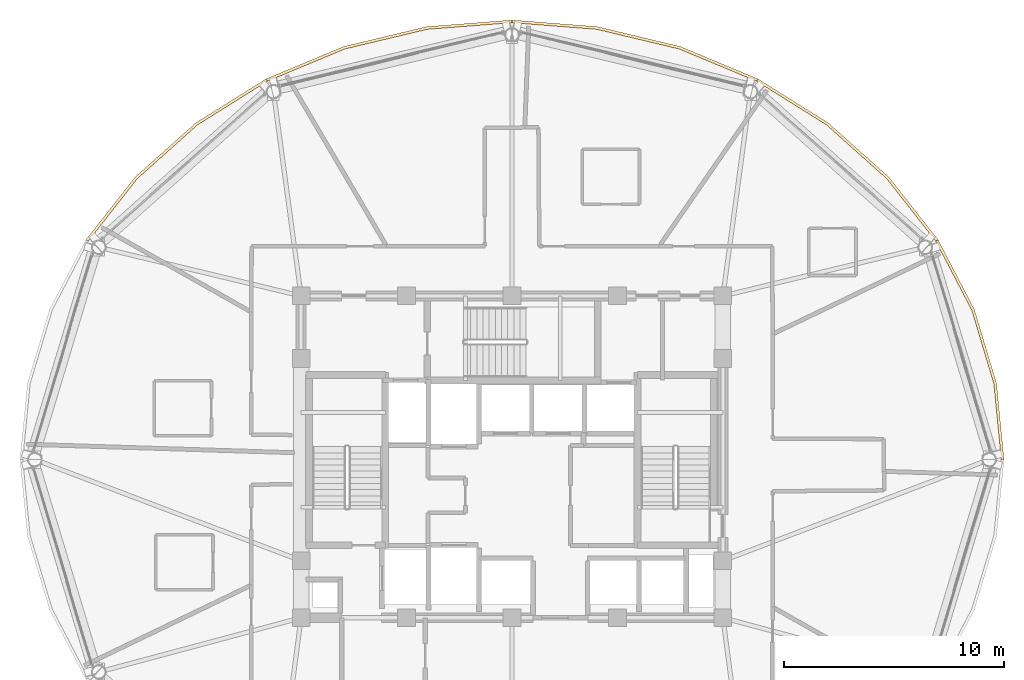
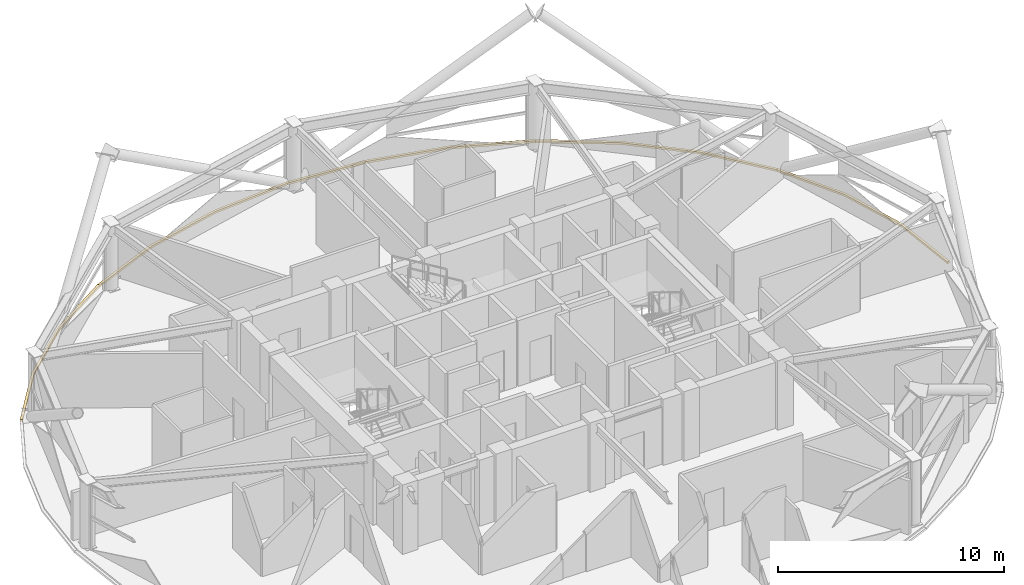
# One storey, part 29 of 29: 5 coverings.
"""IFC4 building model written with IfcOpenShell, lengths in metres."""

from ifc_helpers import new_model, si_unit, direction, frame, origin, place, context, subcontext, project, spatial, polyline, outline, extrude, material, layer, layer_set, type_object, element, save


model = new_model("IFC4")

# Units and contexts
model_context = context("Model", 3, precision=1e-05, world=origin(), true_north=direction((0.0, 1.0)))
body_context = subcontext(model_context, "Body", "Model", "MODEL_VIEW")
ifc_project = project(units=[si_unit("LENGTHUNIT", "METRE"), si_unit("AREAUNIT", "SQUARE_METRE"), si_unit("VOLUMEUNIT", "CUBIC_METRE"), si_unit("PLANEANGLEUNIT", "RADIAN"), si_unit("MASSUNIT", "GRAM", prefix="KILO")], contexts=[model_context])

# Site, building, storey
site_placement = place(None, origin())
site = spatial("IfcSite", under=ifc_project, at=site_placement, CompositionType="ELEMENT")
building_placement = place(site_placement, origin())
building = spatial("IfcBuilding", under=site, at=building_placement, Name="Vantalir Tower", CompositionType="ELEMENT")
storey_placement = place(building_placement, frame((0.0, 0.0, 234.89990234375)))
storey = spatial("IfcBuildingStorey", under=building, at=storey_placement, Name="L59", CompositionType="ELEMENT", Elevation=234.89990234375)

# Coverings
ifc_material = material(Name="Anodised champagne aluminium sill fascia", Category="aluminium")
ifc_layer = layer(ifc_material, 0.125)
ifc_layer_set = layer_set([ifc_layer], Name="Anodised champagne aluminium sill fascia")
covering_type = type_object("IfcCoveringType", Name="COV-SLAB-FASCIA-125", PredefinedType="CLADDING", material=ifc_layer_set)
covering_1_placement = place(storey_placement, frame((0.0, 0.0, -0.179931640625)))
element("IfcCovering", 1, at=covering_1_placement, inside=storey, type_object=covering_type, Name="L59 Perimeter Slab-Edge Sill Fascia 01", PredefinedType="CLADDING", context=body_context, shape_type="SweptSolid", body=[
    extrude(outline(polyline([(53.89306640625, 25.0), (53.552978515625, 28.47412109375), (52.54296875, 31.843017578125), (50.89306640625, 35.00390625), (50.784912109375, 34.94091796875), (52.425048828125, 31.800048828125), (53.429931640625, 28.452880859375), (53.76806640625, 25.0), (53.89306640625, 25.0)])), origin(), (0.0, 0.0, 1.0), 0.10498046875),
])
covering_2_placement = place(storey_placement, frame((0.0, 0.0, -0.179931640625)))
element("IfcCovering", 2, at=covering_2_placement, inside=storey, type_object=covering_type, Name="L59 Perimeter Slab-Edge Sill Fascia 02", PredefinedType="CLADDING", context=body_context, shape_type="SweptSolid", body=[
    extrude(outline(polyline([(50.89306640625, 35.00390625), (48.654052734375, 37.861083984375), (45.89404296875, 40.326904296875), (42.697021484375, 42.326904296875), (42.634033203125, 42.218994140625), (45.81396484375, 40.23095703125), (48.55810546875, 37.781005859375), (50.784912109375, 34.94091796875), (50.89306640625, 35.00390625)])), origin(), (0.0, 0.0, 1.0), 0.10498046875),
])
covering_3_placement = place(storey_placement, frame((0.0, 0.0, -0.179931640625)))
element("IfcCovering", 3, at=covering_3_placement, inside=storey, type_object=covering_type, Name="L59 Perimeter Slab-Edge Sill Fascia 03", PredefinedType="CLADDING", context=body_context, shape_type="SweptSolid", body=[
    extrude(outline(polyline([(42.697021484375, 42.326904296875), (39.158935546875, 43.801025390625), (35.388916015625, 44.7041015625), (31.5, 45.008056640625), (31.5, 44.883056640625), (35.366943359375, 44.5810546875), (39.115966796875, 43.68408203125), (42.634033203125, 42.218994140625), (42.697021484375, 42.326904296875)])), origin(), (0.0, 0.0, 1.0), 0.10498046875),
])
covering_4_placement = place(storey_placement, frame((0.0, 0.0, -0.179931640625)))
element("IfcCovering", 4, at=covering_4_placement, inside=storey, type_object=covering_type, Name="L59 Perimeter Slab-Edge Sill Fascia 04", PredefinedType="CLADDING", context=body_context, shape_type="SweptSolid", body=[
    extrude(outline(polyline([(31.5, 45.008056640625), (27.611083984375, 44.7041015625), (23.841064453125, 43.801025390625), (20.303955078125, 42.326904296875), (20.365966796875, 42.218994140625), (23.884033203125, 43.68408203125), (27.633056640625, 44.5810546875), (31.5, 44.883056640625), (31.5, 45.008056640625)])), origin(), (0.0, 0.0, 1.0), 0.10498046875),
])
covering_5_placement = place(storey_placement, frame((0.0, 0.0, -0.179931640625)))
element("IfcCovering", 5, at=covering_5_placement, inside=storey, type_object=covering_type, Name="L59 Perimeter Slab-Edge Sill Fascia 05", PredefinedType="CLADDING", context=body_context, shape_type="SweptSolid", body=[
    extrude(outline(polyline([(20.303955078125, 42.326904296875), (17.10595703125, 40.326904296875), (14.345947265625, 37.861083984375), (12.10693359375, 35.00390625), (12.215087890625, 34.94091796875), (14.44189453125, 37.781005859375), (17.18603515625, 40.23095703125), (20.365966796875, 42.218994140625), (20.303955078125, 42.326904296875)])), origin(), (0.0, 0.0, 1.0), 0.10498046875),
])

save(model, "model.ifc")
